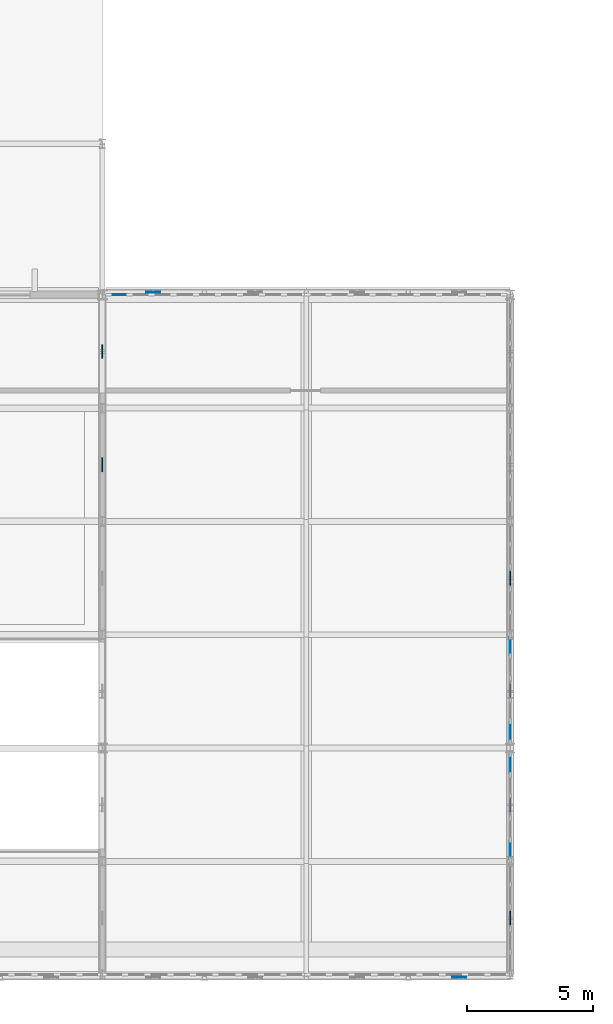
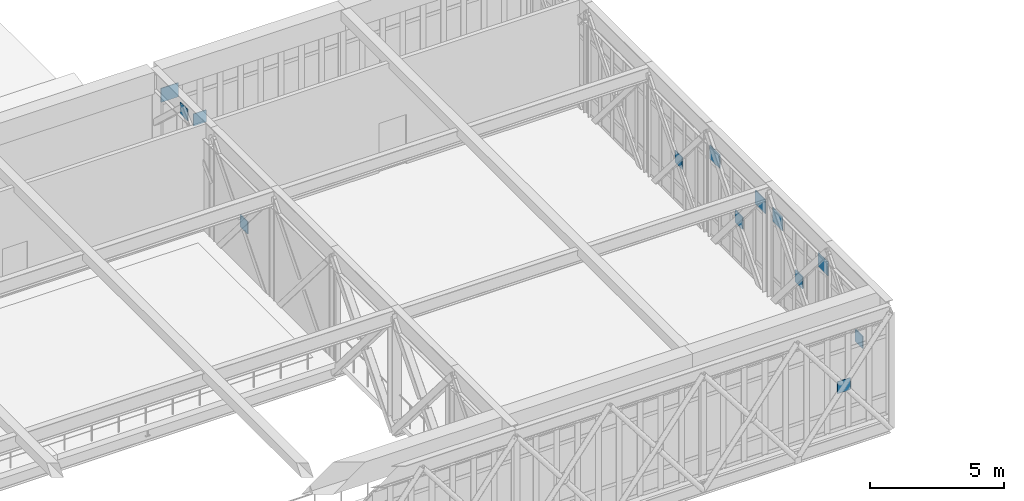
# One storey, part 55 of 70: 13 plates, 3 elements without a shape of their own.
"""IFC4 building model written with IfcOpenShell, lengths in metres."""

from ifc_helpers import new_model, si_unit, direction, frame, origin, origin_2d, place, context, subcontext, project, spatial, rectangle, extrude, material, layer, layer_set, type_object, element, aggregate, save


model = new_model("IFC4")

# Units and contexts
model_context = context("Model", 3, precision=1e-05, world=origin(), true_north=direction((0.0, 1.0)))
body_context = subcontext(model_context, "Body", "Model", "MODEL_VIEW")
ifc_project = project(units=[si_unit("LENGTHUNIT", "METRE"), si_unit("AREAUNIT", "SQUARE_METRE"), si_unit("VOLUMEUNIT", "CUBIC_METRE"), si_unit("PLANEANGLEUNIT", "RADIAN"), si_unit("MASSUNIT", "GRAM", prefix="KILO")], contexts=[model_context])

# Site, building, storey
site_placement = place(None, origin())
site = spatial("IfcSite", under=ifc_project, at=site_placement, CompositionType="ELEMENT")
building_placement = place(site_placement, origin())
building = spatial("IfcBuilding", under=site, at=building_placement, Name="Tarnveldt Square Police Headquarters", CompositionType="ELEMENT")
storey_placement = place(building_placement, frame((0.0, 0.0, 19.800048828125)))
storey = spatial("IfcBuildingStorey", under=building, at=storey_placement, Name="L04", CompositionType="ELEMENT", Elevation=19.800048828125)

# Curtain wall, plate
ifc_material_1 = material(Name="UL 752 Level III laminated ballistic vision glass", Category="glass")
curtain_wall_type_1 = type_object("IfcCurtainWallType", Name="CW-BL-790x409", PredefinedType="USERDEFINED", material=ifc_material_1)
curtain_wall_1_placement = place(storey_placement, origin())
curtain_wall_1 = element("IfcCurtainWall", 1, at=curtain_wall_1_placement, inside=storey, type_object=curtain_wall_type_1, Name="L04 Curtain Wall CW-L04-048", ObjectType="BALLISTIC CURTAIN WALL", PredefinedType="USERDEFINED")
ifc_layer_1 = layer(ifc_material_1, 0.0380859375)
ifc_layer_set_1 = layer_set([ifc_layer_1], Name="UL 752 Level III laminated ballistic vision glass")
plate_type_1 = type_object("IfcPlateType", Name="CWP-BAL-38", PredefinedType="CURTAIN_PANEL", material=ifc_layer_set_1)
plate_1_placement = place(storey_placement, frame((49.261962890625, 34.0, 3.37939453125), z_axis=(0.0, 0.0, 1.0), x_axis=(1.0, 0.0, 0.0)))
plate_1 = element("IfcPlate", 2, at=plate_1_placement, type_object=plate_type_1, Name="CW-BL19 panel 1.3", PredefinedType="CURTAIN_PANEL", context=body_context, shape_type="SweptSolid", body=[
    extrude(rectangle(XDim=0.75, YDim=0.0380859375, at=origin_2d()), origin(), (0.0, 0.0, 1.0), 0.637451171875),
])
aggregate(curtain_wall_1, [plate_1])

# Curtain wall, plates
ifc_material_2 = material(Name="Triple-glazed low-e laminated vision glass", Category="glass")
curtain_wall_type_2 = type_object("IfcCurtainWallType", Name="CW-LT-430x417", PredefinedType="USERDEFINED", material=ifc_material_2)
curtain_wall_2_placement = place(storey_placement, origin())
curtain_wall_2 = element("IfcCurtainWall", 3, at=curtain_wall_2_placement, inside=storey, type_object=curtain_wall_type_2, Name="L04 Curtain Wall CW-L04-057", ObjectType="GLAZED CURTAIN WALL", PredefinedType="USERDEFINED")
ifc_layer_2 = layer(ifc_material_2, 0.028076171875)
ifc_layer_set_2 = layer_set([ifc_layer_2], Name="Triple-glazed low-e laminated vision glass")
plate_type_2 = type_object("IfcPlateType", Name="CWP-VIS-28", PredefinedType="CURTAIN_PANEL", material=ifc_layer_set_2)
plate_2_placement = place(storey_placement, frame((64.800048828125, 11.948486328125, 3.46044921875), z_axis=(0.0, 0.0, 1.0), x_axis=(0.0, 1.0, 0.0)))
plate_2 = element("IfcPlate", 4, at=plate_2_placement, type_object=plate_type_2, Name="CW-LT21 panel 1.3", PredefinedType="CURTAIN_PANEL", context=body_context, shape_type="SweptSolid", body=[
    extrude(rectangle(XDim=0.7470703125, YDim=0.028076171875, at=origin_2d()), origin(), (0.0, 0.0, 1.0), 0.637451171875),
])
plate_3_placement = place(storey_placement, frame((64.800048828125, 15.349365234375, 3.46044921875), z_axis=(0.0, 0.0, 1.0), x_axis=(0.0, 1.0, 0.0)))
plate_3 = element("IfcPlate", 5, at=plate_3_placement, type_object=plate_type_2, Name="CW-LT21 panel 5.3", PredefinedType="CURTAIN_PANEL", context=body_context, shape_type="SweptSolid", body=[
    extrude(rectangle(XDim=0.7470703125, YDim=0.028076171875, at=origin_2d()), origin(), (0.0, 0.0, 1.0), 0.637451171875),
])
aggregate(curtain_wall_2, [plate_2, plate_3])

curtain_wall_3_placement = place(storey_placement, origin())
curtain_wall_3 = element("IfcCurtainWall", 6, at=curtain_wall_3_placement, inside=storey, type_object=curtain_wall_type_2, Name="L04 Curtain Wall CW-L04-058", ObjectType="GLAZED CURTAIN WALL", PredefinedType="USERDEFINED")
plate_4_placement = place(storey_placement, frame((64.800048828125, 16.650634765625, 3.46044921875), z_axis=(0.0, 0.0, 1.0), x_axis=(0.0, 1.0, 0.0)))
plate_4 = element("IfcPlate", 7, at=plate_4_placement, type_object=plate_type_2, Name="CW-LT21 panel 1.3", PredefinedType="CURTAIN_PANEL", context=body_context, shape_type="SweptSolid", body=[
    extrude(rectangle(XDim=0.7470703125, YDim=0.028076171875, at=origin_2d()), origin(), (0.0, 0.0, 1.0), 0.637451171875),
])
plate_5_placement = place(storey_placement, frame((64.800048828125, 20.051513671875, 3.46044921875), z_axis=(0.0, 0.0, 1.0), x_axis=(0.0, 1.0, 0.0)))
plate_5 = element("IfcPlate", 8, at=plate_5_placement, type_object=plate_type_2, Name="CW-LT21 panel 5.3", PredefinedType="CURTAIN_PANEL", context=body_context, shape_type="SweptSolid", body=[
    extrude(rectangle(XDim=0.7470703125, YDim=0.028076171875, at=origin_2d()), origin(), (0.0, 0.0, 1.0), 0.637451171875),
])
aggregate(curtain_wall_3, [plate_4, plate_5])

# Plates
ifc_material_3 = material(Name="Steel 350W", Category="steel")
ifc_layer_3 = layer(ifc_material_3, 0.031982421875)
ifc_layer_set_3 = layer_set([ifc_layer_3], Name="Steel 350W")
plate_type_3 = type_object("IfcPlateType", Name="PLT-GUS-32", PredefinedType="SHEET", material=ifc_layer_set_3)
for number, where, z_axis, x_axis, name in (
    (9, (50.625, 34.10009765625, 1.7236328125), (0.0, 0.0, 1.0), (1.0, 0.0, 0.0), "Command Lantern N Lattice Crossing Gusset Plate 6.1"),
    (10, (62.77490234375, 6.89990234375, 1.7236328125), (0.0, 0.0, 1.0), (1.0, 0.0, 0.0), "Command Lantern S Lattice Crossing Gusset Plate 7.2"),
):
    element("IfcPlate", number, at=place(storey_placement, frame(where, z_axis=z_axis, x_axis=x_axis)), inside=storey, type_object=plate_type_3, Name=name, PredefinedType="SHEET", context=body_context, shape_type="SweptSolid", body=[
        extrude(rectangle(XDim=0.550048828125, YDim=0.031982421875, at=origin_2d()), origin(), (0.0, 0.0, 1.0), 0.550048828125),
    ])
ifc_layer_4 = layer(ifc_material_3, 0.0419921875)
ifc_layer_set_4 = layer_set([ifc_layer_4], Name="Steel 350W")
plate_type_4 = type_object("IfcPlateType", Name="PLT-GUS-42", PredefinedType="SHEET", material=ifc_layer_set_4)
for number, where, z_axis, x_axis, name in (
    (11, (48.60009765625, 31.75, 4.1455078125), (0.0, 0.0, 1.0), (1.0, 0.0, 0.0), "Cantilever Truss CT-3 L04 Portal Gusset Plate 1"),
    (12, (48.60009765625, 27.25, 1.7236328125), (0.0, 0.0, 1.0), (1.0, 0.0, 0.0), "Cantilever Truss CT-3 L04 Centre Gusset Plate 2"),
    (13, (64.800048828125, 22.75, 1.7236328125), (0.0, 0.0, 1.0), (1.0, 0.0, 0.0), "Cantilever Truss CT-4 L04 Centre Gusset Plate 3"),
    (14, (64.800048828125, 18.25, 1.7236328125), (0.0, 0.0, 1.0), (1.0, 0.0, 0.0), "Cantilever Truss CT-4 L04 Centre Gusset Plate 4"),
    (15, (64.800048828125, 13.75, 1.7236328125), (0.0, 0.0, 1.0), (1.0, 0.0, 0.0), "Cantilever Truss CT-4 L04 Centre Gusset Plate 5"),
    (16, (64.800048828125, 9.25, 1.7236328125), (0.0, 0.0, 1.0), (1.0, 0.0, 0.0), "Cantilever Truss CT-4 L04 Centre Gusset Plate 6"),
):
    element("IfcPlate", number, at=place(storey_placement, frame(where, z_axis=z_axis, x_axis=x_axis)), inside=storey, type_object=plate_type_4, Name=name, PredefinedType="SHEET", context=body_context, shape_type="SweptSolid", body=[
        extrude(rectangle(XDim=0.0419921875, YDim=0.550048828125, at=origin_2d()), origin(), (0.0, 0.0, 1.0), 0.550048828125),
    ])

save(model, "model.ifc")
